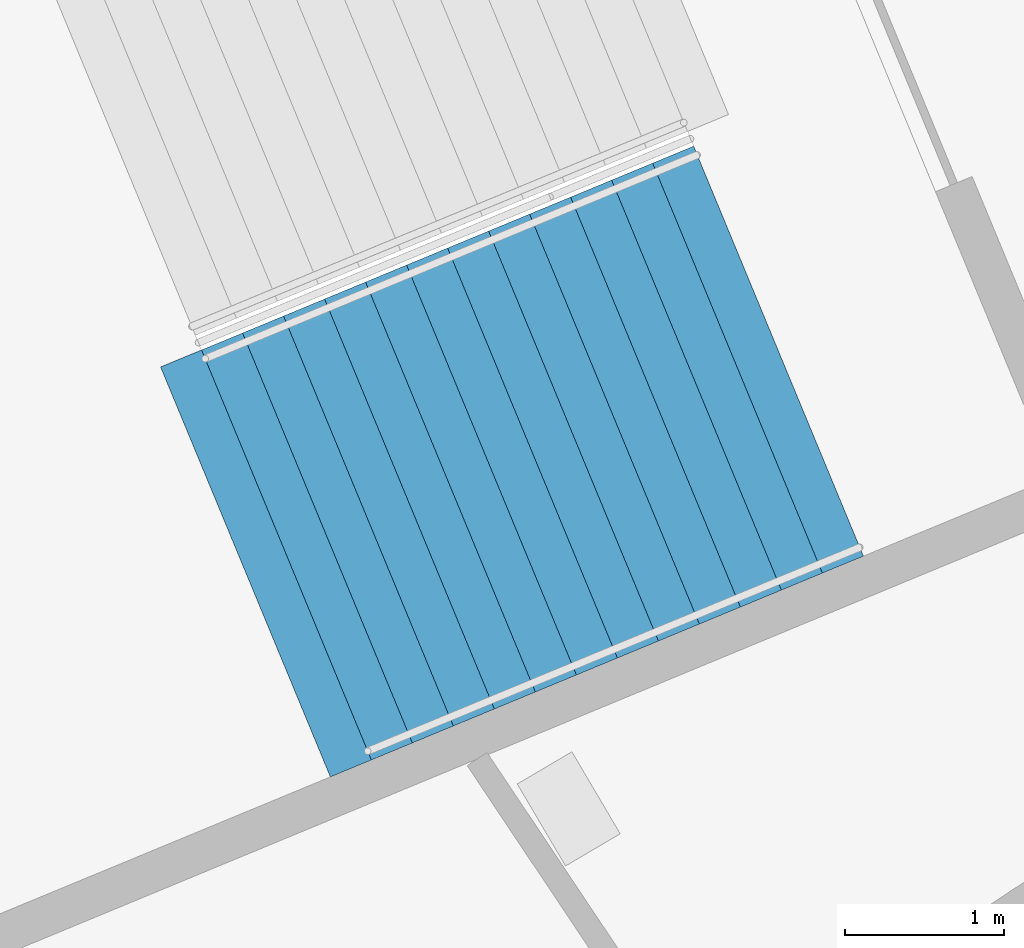
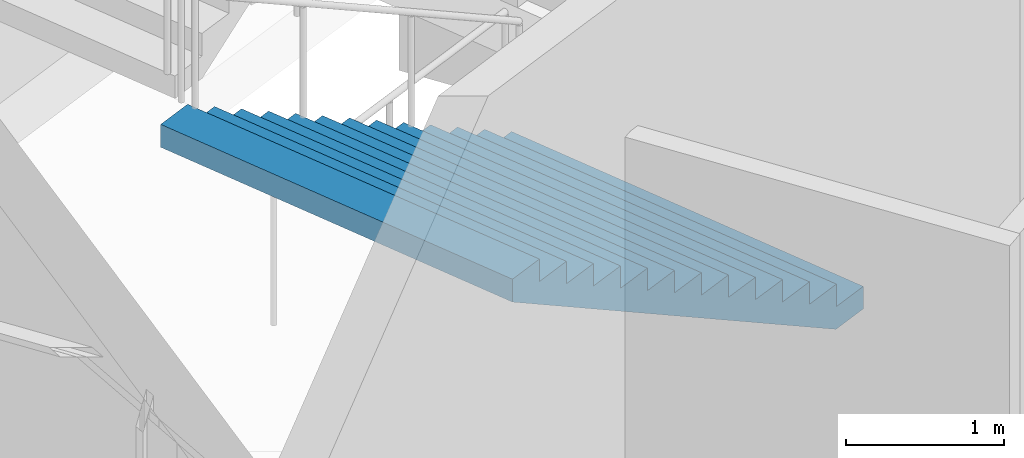
# One storey, part 85 of 177: 1 stair flight, 1 element without a shape of its own.
"""IFC4 building model written with IfcOpenShell, lengths in metres."""

from ifc_helpers import new_model, si_unit, direction, frame, origin, place, context, subcontext, project, spatial, faceted_brep, material, type_object, element, aggregate, save


model = new_model("IFC4")

# Units and contexts
model_context = context("Model", 3, precision=1e-05, world=origin(), true_north=direction((0.0, 1.0)))
body_context = subcontext(model_context, "Body", "Model", "MODEL_VIEW")
ifc_project = project(units=[si_unit("LENGTHUNIT", "METRE"), si_unit("AREAUNIT", "SQUARE_METRE"), si_unit("VOLUMEUNIT", "CUBIC_METRE"), si_unit("PLANEANGLEUNIT", "RADIAN"), si_unit("MASSUNIT", "GRAM", prefix="KILO")], contexts=[model_context])

# Site, building, storey
site_placement = place(None, origin())
site = spatial("IfcSite", under=ifc_project, at=site_placement, CompositionType="ELEMENT")
building_placement = place(site_placement, origin())
building = spatial("IfcBuilding", under=site, at=building_placement, Name="Ogive Plaza Stadium", CompositionType="ELEMENT")
storey_placement = place(building_placement, frame((0.0, 0.0, 18.0)))
storey = spatial("IfcBuildingStorey", under=building, at=storey_placement, Name="L04", CompositionType="ELEMENT", Elevation=18.0)

# Stair, stair flight
ifc_material_1 = material(Name="Concrete C40/50", Category="concrete")
stair_type = type_object("IfcStairType", Name="Exit stair", PredefinedType="STRAIGHT_RUN_STAIR", material=ifc_material_1)
stair_placement = place(storey_placement, origin())
stair = element("IfcStair", 1, at=stair_placement, inside=storey, type_object=stair_type, Name="Exit stair ST20B L04 to L05", PredefinedType="STRAIGHT_RUN_STAIR")
ifc_material_2 = material(Name="Concrete C40/50", Category="concrete")
stair_flight_type = type_object("IfcStairFlightType", Name="Exit stair flight", PredefinedType="STRAIGHT", material=ifc_material_2)
stair_flight_placement = place(storey_placement, frame((-71.432861328125, -72.794921875, 0.0), z_axis=(0.0, 0.0, 1.0), x_axis=(-0.923879532511, -0.382683432365, 0.0)))
stair_flight = element("IfcStairFlight", 2, at=stair_flight_placement, type_object=stair_flight_type, Name="ST20B flight 1", NumberOfRisers=13, NumberOfTreads=12, PredefinedType="STRAIGHT", RiserHeight=0.173076923, TreadLength=0.28, context=body_context, shape_type="Brep", body=[
    faceted_brep([(0.28515625, -1.39990234375, 0.0), (3.639892578125, -1.39990234375, 2.07373046875), (3.639892578125, -1.39990234375, 2.25), (3.360107421875, -1.39990234375, 2.25), (3.360107421875, -1.39990234375, 2.076904296875), (3.080078125, -1.39990234375, 2.076904296875), (3.080078125, -1.39990234375, 1.90380859375), (2.800048828125, -1.39990234375, 1.90380859375), (2.800048828125, -1.39990234375, 1.730712890625), (2.52001953125, -1.39990234375, 1.730712890625), (2.52001953125, -1.39990234375, 1.5576171875), (2.239990234375, -1.39990234375, 1.5576171875), (2.239990234375, -1.39990234375, 1.384521484375), (1.9599609375, -1.39990234375, 1.384521484375), (1.9599609375, -1.39990234375, 1.21142578125), (1.679931640625, -1.39990234375, 1.21142578125), (1.679931640625, -1.39990234375, 1.03857421875), (1.39990234375, -1.39990234375, 1.03857421875), (1.39990234375, -1.39990234375, 0.865478515625), (1.1201171875, -1.39990234375, 0.865478515625), (1.1201171875, -1.39990234375, 0.6923828125), (0.840087890625, -1.39990234375, 0.6923828125), (0.840087890625, -1.39990234375, 0.519287109375), (0.56005859375, -1.39990234375, 0.519287109375), (0.56005859375, -1.39990234375, 0.34619140625), (0.280029296875, -1.39990234375, 0.34619140625), (0.280029296875, -1.39990234375, 0.173095703125), (0.0, -1.39990234375, 0.173095703125), (0.0, -1.39990234375, 0.0), (0.0, 1.39990234375, 0.0), (0.0, 1.39990234375, 0.173095703125), (0.280029296875, 1.39990234375, 0.173095703125), (0.280029296875, 1.39990234375, 0.34619140625), (0.56005859375, 1.39990234375, 0.34619140625), (0.56005859375, 1.39990234375, 0.519287109375), (0.840087890625, 1.39990234375, 0.519287109375), (0.840087890625, 1.39990234375, 0.6923828125), (1.1201171875, 1.39990234375, 0.6923828125), (1.1201171875, 1.39990234375, 0.865478515625), (1.39990234375, 1.39990234375, 0.865478515625), (1.39990234375, 1.39990234375, 1.03857421875), (1.679931640625, 1.39990234375, 1.03857421875), (1.679931640625, 1.39990234375, 1.21142578125), (1.9599609375, 1.39990234375, 1.21142578125), (1.9599609375, 1.39990234375, 1.384521484375), (2.239990234375, 1.39990234375, 1.384521484375), (2.239990234375, 1.39990234375, 1.5576171875), (2.52001953125, 1.39990234375, 1.5576171875), (2.52001953125, 1.39990234375, 1.730712890625), (2.800048828125, 1.39990234375, 1.730712890625), (2.800048828125, 1.39990234375, 1.90380859375), (3.080078125, 1.39990234375, 1.90380859375), (3.080078125, 1.39990234375, 2.076904296875), (3.360107421875, 1.39990234375, 2.076904296875), (3.360107421875, 1.39990234375, 2.25), (3.639892578125, 1.39990234375, 2.25), (3.639892578125, 1.39990234375, 2.07373046875), (0.28515625, 1.39990234375, 0.0), (0.28515625, -1.0888671875, 0.0), (3.639892578125, -1.0888671875, 2.07373046875), (0.28515625, -0.77783203125, 0.0), (3.639892578125, -0.77783203125, 2.07373046875), (0.28515625, -0.466796875, 0.0), (3.639892578125, -0.466796875, 2.07373046875), (0.28515625, -0.155517578125, 0.0), (3.639892578125, -0.155517578125, 2.07373046875), (0.28515625, 0.155517578125, 0.0), (3.639892578125, 0.155517578125, 2.07373046875), (0.28515625, 0.466796875, 0.0), (3.639892578125, 0.466796875, 2.07373046875), (0.28515625, 0.77783203125, 0.0), (3.639892578125, 0.77783203125, 2.07373046875), (0.28515625, 1.0888671875, 0.0), (3.639892578125, 1.0888671875, 2.07373046875), (3.639892578125, -1.0888671875, 2.25), (3.639892578125, -0.77783203125, 2.25), (3.639892578125, -0.466796875, 2.25), (3.639892578125, -0.155517578125, 2.25), (3.639892578125, 0.155517578125, 2.25), (3.639892578125, 0.466796875, 2.25), (3.639892578125, 0.77783203125, 2.25), (3.639892578125, 1.0888671875, 2.25), (3.360107421875, -1.0888671875, 2.25), (3.360107421875, -0.77783203125, 2.25), (3.360107421875, -0.466796875, 2.25), (3.360107421875, -0.155517578125, 2.25), (3.360107421875, 0.155517578125, 2.25), (3.360107421875, 0.466796875, 2.25), (3.360107421875, 0.77783203125, 2.25), (3.360107421875, 1.0888671875, 2.25), (3.360107421875, -1.0888671875, 2.076904296875), (3.360107421875, -0.77783203125, 2.076904296875), (3.360107421875, -0.466796875, 2.076904296875), (3.360107421875, -0.155517578125, 2.076904296875), (3.360107421875, 0.155517578125, 2.076904296875), (3.360107421875, 0.466796875, 2.076904296875), (3.360107421875, 0.77783203125, 2.076904296875), (3.360107421875, 1.0888671875, 2.076904296875), (3.080078125, -1.0888671875, 2.076904296875), (3.080078125, -0.77783203125, 2.076904296875), (3.080078125, -0.466796875, 2.076904296875), (3.080078125, -0.155517578125, 2.076904296875), (3.080078125, 0.155517578125, 2.076904296875), (3.080078125, 0.466796875, 2.076904296875), (3.080078125, 0.77783203125, 2.076904296875), (3.080078125, 1.0888671875, 2.076904296875), (3.080078125, -1.0888671875, 1.90380859375), (3.080078125, -0.77783203125, 1.90380859375), (3.080078125, -0.466796875, 1.90380859375), (3.080078125, -0.155517578125, 1.90380859375), (3.080078125, 0.155517578125, 1.90380859375), (3.080078125, 0.466796875, 1.90380859375), (3.080078125, 0.77783203125, 1.90380859375), (3.080078125, 1.0888671875, 1.90380859375), (2.800048828125, -1.0888671875, 1.90380859375), (2.800048828125, -0.77783203125, 1.90380859375), (2.800048828125, -0.466796875, 1.90380859375), (2.800048828125, -0.155517578125, 1.90380859375), (2.800048828125, 0.155517578125, 1.90380859375), (2.800048828125, 0.466796875, 1.90380859375), (2.800048828125, 0.77783203125, 1.90380859375), (2.800048828125, 1.0888671875, 1.90380859375), (2.800048828125, -1.0888671875, 1.730712890625), (2.800048828125, -0.77783203125, 1.730712890625), (2.800048828125, -0.466796875, 1.730712890625), (2.800048828125, -0.155517578125, 1.730712890625), (2.800048828125, 0.155517578125, 1.730712890625), (2.800048828125, 0.466796875, 1.730712890625), (2.800048828125, 0.77783203125, 1.730712890625), (2.800048828125, 1.0888671875, 1.730712890625), (2.52001953125, -1.0888671875, 1.730712890625), (2.52001953125, -0.77783203125, 1.730712890625), (2.52001953125, -0.466796875, 1.730712890625), (2.52001953125, -0.155517578125, 1.730712890625), (2.52001953125, 0.155517578125, 1.730712890625), (2.52001953125, 0.466796875, 1.730712890625), (2.52001953125, 0.77783203125, 1.730712890625), (2.52001953125, 1.0888671875, 1.730712890625), (2.52001953125, -1.0888671875, 1.5576171875), (2.52001953125, -0.77783203125, 1.5576171875), (2.52001953125, -0.466796875, 1.5576171875), (2.52001953125, -0.155517578125, 1.5576171875), (2.52001953125, 0.155517578125, 1.5576171875), (2.52001953125, 0.466796875, 1.5576171875), (2.52001953125, 0.77783203125, 1.5576171875), (2.52001953125, 1.0888671875, 1.5576171875), (2.239990234375, -1.0888671875, 1.5576171875), (2.239990234375, -0.77783203125, 1.5576171875), (2.239990234375, -0.466796875, 1.5576171875), (2.239990234375, -0.155517578125, 1.5576171875), (2.239990234375, 0.155517578125, 1.5576171875), (2.239990234375, 0.466796875, 1.5576171875), (2.239990234375, 0.77783203125, 1.5576171875), (2.239990234375, 1.0888671875, 1.5576171875), (2.239990234375, -1.0888671875, 1.384521484375), (2.239990234375, -0.77783203125, 1.384521484375), (2.239990234375, -0.466796875, 1.384521484375), (2.239990234375, -0.155517578125, 1.384521484375), (2.239990234375, 0.155517578125, 1.384521484375), (2.239990234375, 0.466796875, 1.384521484375), (2.239990234375, 0.77783203125, 1.384521484375), (2.239990234375, 1.0888671875, 1.384521484375), (1.9599609375, -1.0888671875, 1.384521484375), (1.9599609375, -0.77783203125, 1.384521484375), (1.9599609375, -0.466796875, 1.384521484375), (1.9599609375, -0.155517578125, 1.384521484375), (1.9599609375, 0.155517578125, 1.384521484375), (1.9599609375, 0.466796875, 1.384521484375), (1.9599609375, 0.77783203125, 1.384521484375), (1.9599609375, 1.0888671875, 1.384521484375), (1.9599609375, -1.0888671875, 1.21142578125), (1.9599609375, -0.77783203125, 1.21142578125), (1.9599609375, -0.466796875, 1.21142578125), (1.9599609375, -0.155517578125, 1.21142578125), (1.9599609375, 0.155517578125, 1.21142578125), (1.9599609375, 0.466796875, 1.21142578125), (1.9599609375, 0.77783203125, 1.21142578125), (1.9599609375, 1.0888671875, 1.21142578125), (1.679931640625, -1.0888671875, 1.21142578125), (1.679931640625, -0.77783203125, 1.21142578125), (1.679931640625, -0.466796875, 1.21142578125), (1.679931640625, -0.155517578125, 1.21142578125), (1.679931640625, 0.155517578125, 1.21142578125), (1.679931640625, 0.466796875, 1.21142578125), (1.679931640625, 0.77783203125, 1.21142578125), (1.679931640625, 1.0888671875, 1.21142578125), (1.679931640625, -1.0888671875, 1.03857421875), (1.679931640625, -0.77783203125, 1.03857421875), (1.679931640625, -0.466796875, 1.03857421875), (1.679931640625, -0.155517578125, 1.03857421875), (1.679931640625, 0.155517578125, 1.03857421875), (1.679931640625, 0.466796875, 1.03857421875), (1.679931640625, 0.77783203125, 1.03857421875), (1.679931640625, 1.0888671875, 1.03857421875), (1.39990234375, -1.0888671875, 1.03857421875), (1.39990234375, -0.77783203125, 1.03857421875), (1.39990234375, -0.466796875, 1.03857421875), (1.39990234375, -0.155517578125, 1.03857421875), (1.39990234375, 0.155517578125, 1.03857421875), (1.39990234375, 0.466796875, 1.03857421875), (1.39990234375, 0.77783203125, 1.03857421875), (1.39990234375, 1.0888671875, 1.03857421875), (1.39990234375, -1.0888671875, 0.865478515625), (1.39990234375, -0.77783203125, 0.865478515625), (1.39990234375, -0.466796875, 0.865478515625), (1.39990234375, -0.155517578125, 0.865478515625), (1.39990234375, 0.155517578125, 0.865478515625), (1.39990234375, 0.466796875, 0.865478515625), (1.39990234375, 0.77783203125, 0.865478515625), (1.39990234375, 1.0888671875, 0.865478515625), (1.1201171875, -1.0888671875, 0.865478515625), (1.1201171875, -0.77783203125, 0.865478515625), (1.1201171875, -0.466796875, 0.865478515625), (1.1201171875, -0.155517578125, 0.865478515625), (1.1201171875, 0.155517578125, 0.865478515625), (1.1201171875, 0.466796875, 0.865478515625), (1.1201171875, 0.77783203125, 0.865478515625), (1.1201171875, 1.0888671875, 0.865478515625), (1.1201171875, -1.0888671875, 0.6923828125), (1.1201171875, -0.77783203125, 0.6923828125), (1.1201171875, -0.466796875, 0.6923828125), (1.1201171875, -0.155517578125, 0.6923828125), (1.1201171875, 0.155517578125, 0.6923828125), (1.1201171875, 0.466796875, 0.6923828125), (1.1201171875, 0.77783203125, 0.6923828125), (1.1201171875, 1.0888671875, 0.6923828125), (0.840087890625, -1.0888671875, 0.6923828125), (0.840087890625, -0.77783203125, 0.6923828125), (0.840087890625, -0.466796875, 0.6923828125), (0.840087890625, -0.155517578125, 0.6923828125), (0.840087890625, 0.155517578125, 0.6923828125), (0.840087890625, 0.466796875, 0.6923828125), (0.840087890625, 0.77783203125, 0.6923828125), (0.840087890625, 1.0888671875, 0.6923828125), (0.840087890625, -1.0888671875, 0.519287109375), (0.840087890625, -0.77783203125, 0.519287109375), (0.840087890625, -0.466796875, 0.519287109375), (0.840087890625, -0.155517578125, 0.519287109375), (0.840087890625, 0.155517578125, 0.519287109375), (0.840087890625, 0.466796875, 0.519287109375), (0.840087890625, 0.77783203125, 0.519287109375), (0.840087890625, 1.0888671875, 0.519287109375), (0.56005859375, -1.0888671875, 0.519287109375), (0.56005859375, -0.77783203125, 0.519287109375), (0.56005859375, -0.466796875, 0.519287109375), (0.56005859375, -0.155517578125, 0.519287109375), (0.56005859375, 0.155517578125, 0.519287109375), (0.56005859375, 0.466796875, 0.519287109375), (0.56005859375, 0.77783203125, 0.519287109375), (0.56005859375, 1.0888671875, 0.519287109375), (0.56005859375, -1.0888671875, 0.34619140625), (0.56005859375, -0.77783203125, 0.34619140625), (0.56005859375, -0.466796875, 0.34619140625), (0.56005859375, -0.155517578125, 0.34619140625), (0.56005859375, 0.155517578125, 0.34619140625), (0.56005859375, 0.466796875, 0.34619140625), (0.56005859375, 0.77783203125, 0.34619140625), (0.56005859375, 1.0888671875, 0.34619140625), (0.280029296875, -1.0888671875, 0.34619140625), (0.280029296875, -0.77783203125, 0.34619140625), (0.280029296875, -0.466796875, 0.34619140625), (0.280029296875, -0.155517578125, 0.34619140625), (0.280029296875, 0.155517578125, 0.34619140625), (0.280029296875, 0.466796875, 0.34619140625), (0.280029296875, 0.77783203125, 0.34619140625), (0.280029296875, 1.0888671875, 0.34619140625), (0.280029296875, -1.0888671875, 0.173095703125), (0.280029296875, -0.77783203125, 0.173095703125), (0.280029296875, -0.466796875, 0.173095703125), (0.280029296875, -0.155517578125, 0.173095703125), (0.280029296875, 0.155517578125, 0.173095703125), (0.280029296875, 0.466796875, 0.173095703125), (0.280029296875, 0.77783203125, 0.173095703125), (0.280029296875, 1.0888671875, 0.173095703125), (0.0, -1.0888671875, 0.173095703125), (0.0, -0.77783203125, 0.173095703125), (0.0, -0.466796875, 0.173095703125), (0.0, -0.155517578125, 0.173095703125), (0.0, 0.155517578125, 0.173095703125), (0.0, 0.466796875, 0.173095703125), (0.0, 0.77783203125, 0.173095703125), (0.0, 1.0888671875, 0.173095703125), (0.0, -1.0888671875, 0.0), (0.0, -0.77783203125, 0.0), (0.0, -0.466796875, 0.0), (0.0, -0.155517578125, 0.0), (0.0, 0.155517578125, 0.0), (0.0, 0.466796875, 0.0), (0.0, 0.77783203125, 0.0), (0.0, 1.0888671875, 0.0)], [[[0, 1, 2, 3, 4, 5, 6, 7, 8, 9, 10, 11, 12, 13, 14, 15, 16, 17, 18, 19, 20, 21, 22, 23, 24, 25, 26, 27, 28]], [[29, 30, 31, 32, 33, 34, 35, 36, 37, 38, 39, 40, 41, 42, 43, 44, 45, 46, 47, 48, 49, 50, 51, 52, 53, 54, 55, 56, 57]], [[0, 58, 59, 1]], [[58, 60, 61, 59]], [[60, 62, 63, 61]], [[62, 64, 65, 63]], [[64, 66, 67, 65]], [[66, 68, 69, 67]], [[68, 70, 71, 69]], [[70, 72, 73, 71]], [[72, 57, 56, 73]], [[1, 59, 74, 2]], [[59, 61, 75, 74]], [[61, 63, 76, 75]], [[63, 65, 77, 76]], [[65, 67, 78, 77]], [[67, 69, 79, 78]], [[69, 71, 80, 79]], [[71, 73, 81, 80]], [[73, 56, 55, 81]], [[2, 74, 82, 3]], [[74, 75, 83, 82]], [[75, 76, 84, 83]], [[76, 77, 85, 84]], [[77, 78, 86, 85]], [[78, 79, 87, 86]], [[79, 80, 88, 87]], [[80, 81, 89, 88]], [[81, 55, 54, 89]], [[3, 82, 90, 4]], [[82, 83, 91, 90]], [[83, 84, 92, 91]], [[84, 85, 93, 92]], [[85, 86, 94, 93]], [[86, 87, 95, 94]], [[87, 88, 96, 95]], [[88, 89, 97, 96]], [[89, 54, 53, 97]], [[4, 90, 98, 5]], [[90, 91, 99, 98]], [[91, 92, 100, 99]], [[92, 93, 101, 100]], [[93, 94, 102, 101]], [[94, 95, 103, 102]], [[95, 96, 104, 103]], [[96, 97, 105, 104]], [[97, 53, 52, 105]], [[5, 98, 106, 6]], [[98, 99, 107, 106]], [[99, 100, 108, 107]], [[100, 101, 109, 108]], [[101, 102, 110, 109]], [[102, 103, 111, 110]], [[103, 104, 112, 111]], [[104, 105, 113, 112]], [[105, 52, 51, 113]], [[6, 106, 114, 7]], [[106, 107, 115, 114]], [[107, 108, 116, 115]], [[108, 109, 117, 116]], [[109, 110, 118, 117]], [[110, 111, 119, 118]], [[111, 112, 120, 119]], [[112, 113, 121, 120]], [[113, 51, 50, 121]], [[7, 114, 122, 8]], [[114, 115, 123, 122]], [[115, 116, 124, 123]], [[116, 117, 125, 124]], [[117, 118, 126, 125]], [[118, 119, 127, 126]], [[119, 120, 128, 127]], [[120, 121, 129, 128]], [[121, 50, 49, 129]], [[8, 122, 130, 9]], [[122, 123, 131, 130]], [[123, 124, 132, 131]], [[124, 125, 133, 132]], [[125, 126, 134, 133]], [[126, 127, 135, 134]], [[127, 128, 136, 135]], [[128, 129, 137, 136]], [[129, 49, 48, 137]], [[9, 130, 138, 10]], [[130, 131, 139, 138]], [[131, 132, 140, 139]], [[132, 133, 141, 140]], [[133, 134, 142, 141]], [[134, 135, 143, 142]], [[135, 136, 144, 143]], [[136, 137, 145, 144]], [[137, 48, 47, 145]], [[10, 138, 146, 11]], [[138, 139, 147, 146]], [[139, 140, 148, 147]], [[140, 141, 149, 148]], [[141, 142, 150, 149]], [[142, 143, 151, 150]], [[143, 144, 152, 151]], [[144, 145, 153, 152]], [[145, 47, 46, 153]], [[11, 146, 154, 12]], [[146, 147, 155, 154]], [[147, 148, 156, 155]], [[148, 149, 157, 156]], [[149, 150, 158, 157]], [[150, 151, 159, 158]], [[151, 152, 160, 159]], [[152, 153, 161, 160]], [[153, 46, 45, 161]], [[12, 154, 162, 13]], [[154, 155, 163, 162]], [[155, 156, 164, 163]], [[156, 157, 165, 164]], [[157, 158, 166, 165]], [[158, 159, 167, 166]], [[159, 160, 168, 167]], [[160, 161, 169, 168]], [[161, 45, 44, 169]], [[13, 162, 170, 14]], [[162, 163, 171, 170]], [[163, 164, 172, 171]], [[164, 165, 173, 172]], [[165, 166, 174, 173]], [[166, 167, 175, 174]], [[167, 168, 176, 175]], [[168, 169, 177, 176]], [[169, 44, 43, 177]], [[14, 170, 178, 15]], [[170, 171, 179, 178]], [[171, 172, 180, 179]], [[172, 173, 181, 180]], [[173, 174, 182, 181]], [[174, 175, 183, 182]], [[175, 176, 184, 183]], [[176, 177, 185, 184]], [[177, 43, 42, 185]], [[15, 178, 186, 16]], [[178, 179, 187, 186]], [[179, 180, 188, 187]], [[180, 181, 189, 188]], [[181, 182, 190, 189]], [[182, 183, 191, 190]], [[183, 184, 192, 191]], [[184, 185, 193, 192]], [[185, 42, 41, 193]], [[16, 186, 194, 17]], [[186, 187, 195, 194]], [[187, 188, 196, 195]], [[188, 189, 197, 196]], [[189, 190, 198, 197]], [[190, 191, 199, 198]], [[191, 192, 200, 199]], [[192, 193, 201, 200]], [[193, 41, 40, 201]], [[17, 194, 202, 18]], [[194, 195, 203, 202]], [[195, 196, 204, 203]], [[196, 197, 205, 204]], [[197, 198, 206, 205]], [[198, 199, 207, 206]], [[199, 200, 208, 207]], [[200, 201, 209, 208]], [[201, 40, 39, 209]], [[18, 202, 210, 19]], [[202, 203, 211, 210]], [[203, 204, 212, 211]], [[204, 205, 213, 212]], [[205, 206, 214, 213]], [[206, 207, 215, 214]], [[207, 208, 216, 215]], [[208, 209, 217, 216]], [[209, 39, 38, 217]], [[19, 210, 218, 20]], [[210, 211, 219, 218]], [[211, 212, 220, 219]], [[212, 213, 221, 220]], [[213, 214, 222, 221]], [[214, 215, 223, 222]], [[215, 216, 224, 223]], [[216, 217, 225, 224]], [[217, 38, 37, 225]], [[20, 218, 226, 21]], [[218, 219, 227, 226]], [[219, 220, 228, 227]], [[220, 221, 229, 228]], [[221, 222, 230, 229]], [[222, 223, 231, 230]], [[223, 224, 232, 231]], [[224, 225, 233, 232]], [[225, 37, 36, 233]], [[21, 226, 234, 22]], [[226, 227, 235, 234]], [[227, 228, 236, 235]], [[228, 229, 237, 236]], [[229, 230, 238, 237]], [[230, 231, 239, 238]], [[231, 232, 240, 239]], [[232, 233, 241, 240]], [[233, 36, 35, 241]], [[22, 234, 242, 23]], [[234, 235, 243, 242]], [[235, 236, 244, 243]], [[236, 237, 245, 244]], [[237, 238, 246, 245]], [[238, 239, 247, 246]], [[239, 240, 248, 247]], [[240, 241, 249, 248]], [[241, 35, 34, 249]], [[23, 242, 250, 24]], [[242, 243, 251, 250]], [[243, 244, 252, 251]], [[244, 245, 253, 252]], [[245, 246, 254, 253]], [[246, 247, 255, 254]], [[247, 248, 256, 255]], [[248, 249, 257, 256]], [[249, 34, 33, 257]], [[24, 250, 258, 25]], [[250, 251, 259, 258]], [[251, 252, 260, 259]], [[252, 253, 261, 260]], [[253, 254, 262, 261]], [[254, 255, 263, 262]], [[255, 256, 264, 263]], [[256, 257, 265, 264]], [[257, 33, 32, 265]], [[25, 258, 266, 26]], [[258, 259, 267, 266]], [[259, 260, 268, 267]], [[260, 261, 269, 268]], [[261, 262, 270, 269]], [[262, 263, 271, 270]], [[263, 264, 272, 271]], [[264, 265, 273, 272]], [[265, 32, 31, 273]], [[26, 266, 274, 27]], [[266, 267, 275, 274]], [[267, 268, 276, 275]], [[268, 269, 277, 276]], [[269, 270, 278, 277]], [[270, 271, 279, 278]], [[271, 272, 280, 279]], [[272, 273, 281, 280]], [[273, 31, 30, 281]], [[27, 274, 282, 28]], [[274, 275, 283, 282]], [[275, 276, 284, 283]], [[276, 277, 285, 284]], [[277, 278, 286, 285]], [[278, 279, 287, 286]], [[279, 280, 288, 287]], [[280, 281, 289, 288]], [[281, 30, 29, 289]], [[28, 282, 58, 0]], [[282, 283, 60, 58]], [[283, 284, 62, 60]], [[284, 285, 64, 62]], [[285, 286, 66, 64]], [[286, 287, 68, 66]], [[287, 288, 70, 68]], [[288, 289, 72, 70]], [[289, 29, 57, 72]]]),
])
aggregate(stair, [stair_flight])

save(model, "model.ifc")
